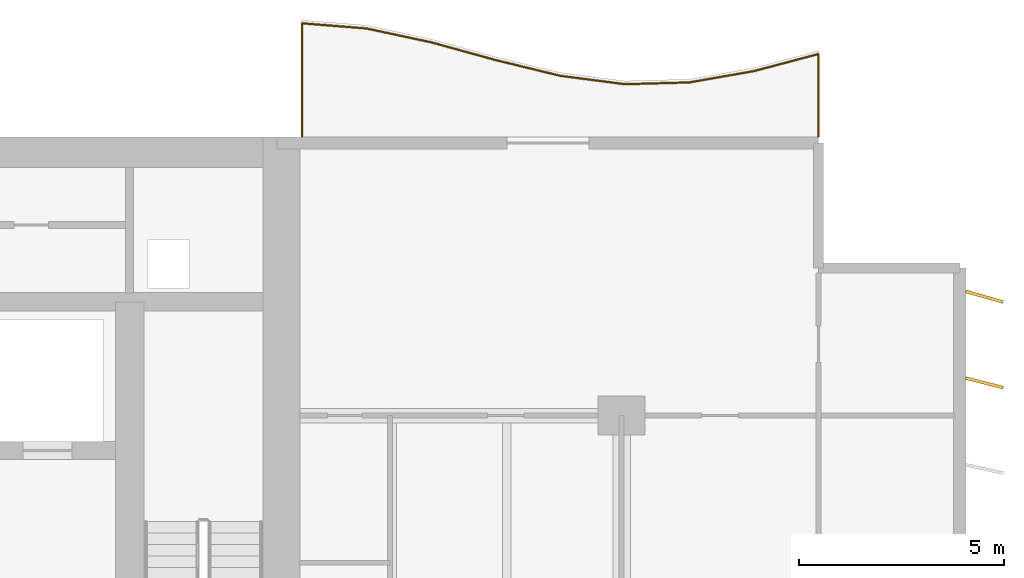
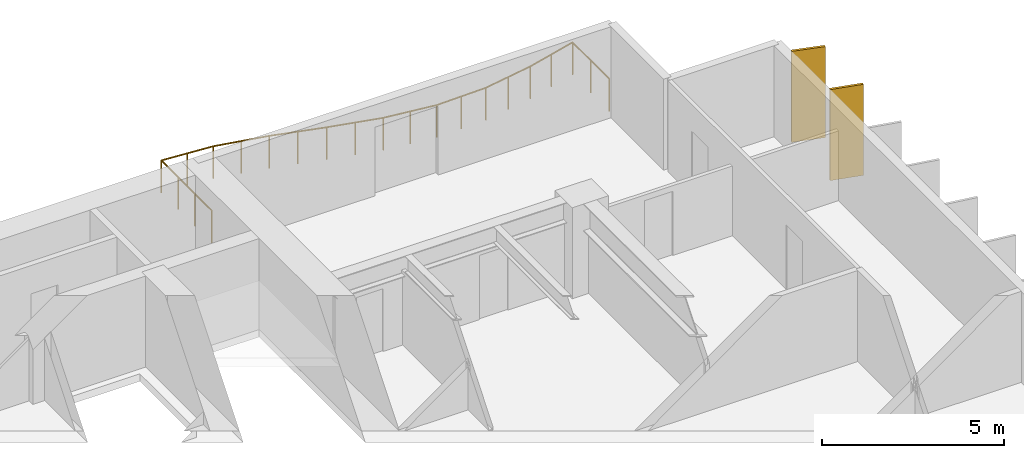
# One storey, part 17 of 17: 2 shading devices, 1 railing.
"""IFC4 building model written with IfcOpenShell, lengths in metres."""

import ifcopenshell
import ifcopenshell.guid

model = None  # the IFC model being written
_history = None  # IfcOwnerHistory: only IFC2X3 demands one
_inside = {}  # id of a spatial element -> (the spatial element, [elements in it])
_under = {}  # id of a project, library or spatial element -> (it, [spatial elements below it])
_declared = {}  # id of a project -> (the project, [libraries it declares])
_typed = {}  # id of a type object -> (the type object, [elements of that type])
_made_of = {}  # id of a material, layer set ... -> (it, [elements and type objects made of it])


def new_model(schema):
    """Start an empty IFC model of exactly this schema.

    Asked for "IFC4X3", IfcOpenShell would pick the latest addendum, in which some entities
    have other attributes; the version numbers below select the first issue.
    IFC2X3 requires an IfcOwnerHistory on every rooted entity: one is made here for all.
    """
    global model, _history
    if schema == "IFC4X3":
        model = ifcopenshell.file(schema_version=(4, 3, 0, 0))
    else:
        model = ifcopenshell.file(schema=schema)
    _inside.clear()
    _under.clear()
    _declared.clear()
    _typed.clear()
    _made_of.clear()
    _history = None
    if model.schema == "IFC2X3":
        org = make("IfcOrganization", Name="unknown")
        user = make(
            "IfcPersonAndOrganization",
            ThePerson=make("IfcPerson", FamilyName="unknown"),
            TheOrganization=org,
        )
        app = make(
            "IfcApplication",
            ApplicationDeveloper=org,
            Version="unknown",
            ApplicationFullName="unknown",
            ApplicationIdentifier="unknown",
        )
        _history = make(
            "IfcOwnerHistory",
            OwningUser=user,
            OwningApplication=app,
            ChangeAction="ADDED",
            CreationDate=0,
        )
    return model


def make(cls, **values):
    """One entity of the class cls with the attributes given. An attribute that is None is left unset."""
    return model.create_entity(
        cls, **{name: value for name, value in values.items() if value is not None}
    )


def rooted(cls, **values):
    """An entity with a GlobalId (a new one), such as an element, a storey or a relation."""
    return make(cls, GlobalId=ifcopenshell.guid.new(), OwnerHistory=_history, **values)


def si_unit(unit_type, name, prefix=None):
    """IfcSIUnit, for example si_unit("LENGTHUNIT", "METRE", prefix="MILLI")."""
    return make("IfcSIUnit", UnitType=unit_type, Prefix=prefix, Name=name)


def assignment(units):
    """IfcUnitAssignment: the units of a project."""
    return None if units is None else make("IfcUnitAssignment", Units=units)


def point(xyz):
    """IfcCartesianPoint."""
    return None if xyz is None else make("IfcCartesianPoint", Coordinates=xyz)


def direction(xyz):
    """IfcDirection."""
    return None if xyz is None else make("IfcDirection", DirectionRatios=xyz)


def frame(location, z_axis=None, x_axis=None):
    """IfcAxis2Placement3D, a coordinate frame: its origin and axes. An axis left out is left unset."""
    return make(
        "IfcAxis2Placement3D",
        Location=point(location),
        Axis=direction(z_axis),
        RefDirection=direction(x_axis),
    )


def frame_2d(location, x_axis=None):
    """IfcAxis2Placement2D, a coordinate frame in the plane: its origin and x axis."""
    return make(
        "IfcAxis2Placement2D", Location=point(location), RefDirection=direction(x_axis)
    )


def origin():
    """The frame at (0, 0, 0) with its axes left unset."""
    return frame((0.0, 0.0, 0.0))


def origin_2d():
    """The frame at (0, 0) in the plane with its x axis left unset."""
    return frame_2d((0.0, 0.0))


def place(relative_to, where):
    """IfcLocalPlacement: puts the frame where relative to a parent placement (None: the world)."""
    return make(
        "IfcLocalPlacement", PlacementRelTo=relative_to, RelativePlacement=where
    )


def context(
    kind, dimensions, precision=None, world=None, true_north=None, identifier=None
):
    """IfcGeometricRepresentationContext, for example the 3D "Model" context."""
    return make(
        "IfcGeometricRepresentationContext",
        ContextIdentifier=identifier,
        ContextType=kind,
        CoordinateSpaceDimension=dimensions,
        Precision=precision,
        WorldCoordinateSystem=world,
        TrueNorth=true_north,
    )


def subcontext(parent, identifier, kind, view, scale=None):
    """IfcGeometricRepresentationSubContext, for example "Body" below "Model"."""
    return make(
        "IfcGeometricRepresentationSubContext",
        ContextIdentifier=identifier,
        ContextType=kind,
        ParentContext=parent,
        TargetScale=scale,
        TargetView=view,
    )


def project(units=None, contexts=None):
    """IfcProject with its units and contexts."""
    return rooted(
        "IfcProject",
        Name="project",
        RepresentationContexts=contexts,
        UnitsInContext=assignment(units),
    )


def spatial(cls, under=None, at=None, **own):
    """A site, building, storey or space (cls), placed at a placement, below another one or the project."""
    s = rooted(cls, ObjectPlacement=at, **own)
    if under is not None:
        _under.setdefault(under.id(), (under, []))[1].append(s)
    return s


def profile(cls, at=None, kind="AREA", **sizes):
    """A parametric profile (cls). Its sizes go by their IFC names, for example OverallWidth=200.0."""
    return make(cls, ProfileType=kind, Position=at, **sizes)


def rectangle(**sizes):
    """IfcRectangleProfileDef."""
    return profile("IfcRectangleProfileDef", **sizes)


def circle(**sizes):
    """IfcCircleProfileDef."""
    return profile("IfcCircleProfileDef", **sizes)


def extrude(swept, where, along, depth):
    """IfcExtrudedAreaSolid: the profile swept, set in the frame where, extruded along a direction by depth."""
    return make(
        "IfcExtrudedAreaSolid",
        SweptArea=swept,
        Position=where,
        ExtrudedDirection=direction(along),
        Depth=depth,
    )


def shape(context_of_items, identifier, shape_type, items):
    """IfcShapeRepresentation: the items that make up one representation, for example the "Body"."""
    return make(
        "IfcShapeRepresentation",
        ContextOfItems=context_of_items,
        RepresentationIdentifier=identifier,
        RepresentationType=shape_type,
        Items=items,
    )


def material(Name=None, Category=None):
    """IfcMaterial."""
    return make("IfcMaterial", Name=Name, Category=Category)


def material_profile(
    of_material, cross_section, Name=None, Category=None, Priority=None
):
    """IfcMaterialProfile: a cross section and its material."""
    return make(
        "IfcMaterialProfile",
        Name=Name,
        Material=of_material,
        Profile=cross_section,
        Priority=Priority,
        Category=Category,
    )


def profile_set(profiles, Name=None, composite=None):
    """IfcMaterialProfileSet."""
    return make(
        "IfcMaterialProfileSet",
        Name=Name,
        MaterialProfiles=profiles,
        CompositeProfile=composite,
    )


def made_of(thing, what):
    """Note that an element or type object is made of a material, layer set ...; save() writes the relation."""
    if what is not None:
        _made_of.setdefault(what.id(), (what, []))[1].append(thing)
    return thing


def type_object(cls, material=None, **own):
    """A type object (cls), such as IfcWallType, which elements share."""
    return made_of(rooted(cls, **own), material)


def element(
    cls,
    number,
    at=None,
    inside=None,
    cuts=None,
    type_object=None,
    material=None,
    context=None,
    identifier="Body",
    shape_type=None,
    held_by="IfcProductDefinitionShape",
    body=None,
    shapes=None,
    **own,
):
    """One element of the class cls, such as IfcWall. Its Tag is "e" and its number.

    at: its placement. inside: the storey or other place that contains it. cuts: it is an
    opening in that element (IfcRelVoidsElement). A single representation is given by context,
    identifier, shape_type and body (its items); several are given by shapes. held_by: the class
    of the entity that holds the representations. save() writes the other relations.
    """
    e = rooted(cls, Tag="e%d" % number, ObjectPlacement=at, **own)
    if body is not None:
        shapes = [shape(context, identifier, shape_type, body)]
    if shapes is not None:
        e.Representation = make(held_by, Representations=shapes)
    if inside is not None:
        _inside.setdefault(inside.id(), (inside, []))[1].append(e)
    if cuts is not None:
        rooted(
            "IfcRelVoidsElement", RelatingBuildingElement=cuts, RelatedOpeningElement=e
        )
    if type_object is not None:
        _typed.setdefault(type_object.id(), (type_object, []))[1].append(e)
    return made_of(e, material)


def aggregate(whole, parts):
    """IfcRelAggregates: a whole, such as a stair, and the parts it consists of."""
    return rooted("IfcRelAggregates", RelatingObject=whole, RelatedObjects=parts)


def save(model, path):
    """Write the relations noted so far, then the file.

    IfcRelAggregates (storeys below a building ...), IfcRelContainedInSpatialStructure (elements
    in a storey), IfcRelDefinesByType, IfcRelAssociatesMaterial and IfcRelDeclares: one each for
    every whole, place, type object, material and project.
    """
    for whole, parts in _under.values():
        aggregate(whole, parts)
    for where, things in _inside.values():
        rooted(
            "IfcRelContainedInSpatialStructure",
            RelatedElements=things,
            RelatingStructure=where,
        )
    for kind, things in _typed.values():
        rooted("IfcRelDefinesByType", RelatedObjects=things, RelatingType=kind)
    for what, things in _made_of.values():
        rooted("IfcRelAssociatesMaterial", RelatedObjects=things, RelatingMaterial=what)
    for by, libraries in _declared.values():
        rooted("IfcRelDeclares", RelatingContext=by, RelatedDefinitions=libraries)
    model.write(path)


model = new_model("IFC4")

# Units and contexts
model_context = context("Model", 3, precision=1e-05, world=origin(), true_north=direction((0.0, 1.0)))
body_context = subcontext(model_context, "Body", "Model", "MODEL_VIEW")
ifc_project = project(units=[si_unit("LENGTHUNIT", "METRE"), si_unit("AREAUNIT", "SQUARE_METRE"), si_unit("VOLUMEUNIT", "CUBIC_METRE"), si_unit("PLANEANGLEUNIT", "RADIAN"), si_unit("MASSUNIT", "GRAM", prefix="KILO")], contexts=[model_context])

# Site, building, storey
site_placement = place(None, origin())
site = spatial("IfcSite", under=ifc_project, at=site_placement, CompositionType="ELEMENT")
building_placement = place(site_placement, origin())
building = spatial("IfcBuilding", under=site, at=building_placement, Name="Caelmar Bay Residences", CompositionType="ELEMENT")
storey_placement = place(building_placement, frame((0.0, 0.0, 63.0)))
storey = spatial("IfcBuildingStorey", under=building, at=storey_placement, Name="L16", CompositionType="ELEMENT", Elevation=63.0)

# Railing
ifc_material_1 = material(Name="Anodised bronze handrail with laminated hurricane glass infill", Category="glass")
railing_type = type_object("IfcRailingType", Name="RL-BAL-1100", PredefinedType="BALUSTRADE", material=ifc_material_1)
railing_placement = place(storey_placement, frame((72.699951171875, 50.60009765625, 0.0)))
element("IfcRailing", 1, at=railing_placement, inside=storey, type_object=railing_type, Name="L16 north_east Balcony Balustrade", PredefinedType="BALUSTRADE", context=body_context, shape_type="SweptSolid", body=[
    extrude(circle(Radius=0.02392578125, at=origin_2d()), frame((0.0, 0.0, 1.076171875), z_axis=(0.0, 1.0, 0.0), x_axis=(-1.0, 0.0, 0.0)), (0.0, 0.0, 1.0), 2.02001953125),
    extrude(circle(Radius=0.02392578125, at=origin_2d()), frame((0.0, 2.02001953125, 1.076171875), z_axis=(-0.966728120508, -0.255806061341, 0.0), x_axis=(0.255806061341, -0.966728120508, 0.0)), (0.0, 0.0, 1.0), 1.629150390625),
    extrude(circle(Radius=0.02392578125, at=origin_2d()), frame((-1.574951171875, 1.603271484375, 1.076171875), z_axis=(-0.984950641335, -0.172835858935, 0.0), x_axis=(0.172835858935, -0.984950641335, 0.0)), (0.0, 0.0, 1.0), 1.59912109375),
    extrude(circle(Radius=0.02392578125, at=origin_2d()), frame((-3.14990234375, 1.326904296875, 1.076171875), z_axis=(-0.9996364388, -0.026962756216, 0.0), x_axis=(0.026962756216, -0.9996364388, 0.0)), (0.0, 0.0, 1.0), 1.575439453125),
    extrude(circle(Radius=0.02392578125, at=origin_2d()), frame((-4.724853515625, 1.284423828125, 1.076171875), z_axis=(-0.991631235968, 0.129102640765, 0.0), x_axis=(-0.129102640765, -0.991631235968, 0.0)), (0.0, 0.0, 1.0), 1.58837890625),
    extrude(circle(Radius=0.02392578125, at=origin_2d()), frame((-6.300048828125, 1.489501953125, 1.076171875), z_axis=(-0.971534712274, 0.236897241111, 0.0), x_axis=(-0.236897241111, -0.971534712274, 0.0)), (0.0, 0.0, 1.0), 1.62109375),
    extrude(circle(Radius=0.02392578125, at=origin_2d()), frame((-7.875, 1.87353515625, 1.076171875), z_axis=(-0.964168126778, 0.265291958616, 0.0), x_axis=(-0.265291958616, -0.964168126778, 0.0)), (0.0, 0.0, 1.0), 1.633544921875),
    extrude(circle(Radius=0.02392578125, at=origin_2d()), frame((-9.449951171875, 2.306884765625, 1.076171875), z_axis=(-0.977906557301, 0.209042496127, 0.0), x_axis=(-0.209042496127, -0.977906557301, 0.0)), (0.0, 0.0, 1.0), 1.610595703125),
    extrude(circle(Radius=0.02392578125, at=origin_2d()), frame((-11.02490234375, 2.6435546875, 1.076171875), z_axis=(-0.996791652008, 0.08004000554, 0.0), x_axis=(-0.08004000554, -0.996791652008, 0.0)), (0.0, 0.0, 1.0), 1.580078125),
    extrude(circle(Radius=0.02392578125, at=origin_2d()), frame((-12.599853515625, 2.77001953125, 1.076171875), z_axis=(0.0, -1.0, 0.0), x_axis=(1.0, 0.0, 0.0)), (0.0, 0.0, 1.0), 2.77001953125),
    extrude(circle(Radius=0.02099609375, at=origin_2d()), origin(), (0.0, 0.0, 1.0), 1.052001953125),
    extrude(circle(Radius=0.02099609375, at=origin_2d()), frame((0.0, 1.010009765625, 0.0)), (0.0, 0.0, 1.0), 1.052001953125),
    extrude(circle(Radius=0.02099609375, at=origin_2d()), frame((0.0, 2.02001953125, 0.0)), (0.0, 0.0, 1.0), 1.052001953125),
    extrude(circle(Radius=0.02099609375, at=origin_2d()), frame((-0.78759765625, 1.8115234375, 0.0)), (0.0, 0.0, 1.0), 1.052001953125),
    extrude(circle(Radius=0.02099609375, at=origin_2d()), frame((-1.574951171875, 1.603271484375, 0.0)), (0.0, 0.0, 1.0), 1.052001953125),
    extrude(circle(Radius=0.02099609375, at=origin_2d()), frame((-2.3623046875, 1.465087890625, 0.0)), (0.0, 0.0, 1.0), 1.052001953125),
    extrude(circle(Radius=0.02099609375, at=origin_2d()), frame((-3.14990234375, 1.326904296875, 0.0)), (0.0, 0.0, 1.0), 1.052001953125),
    extrude(circle(Radius=0.02099609375, at=origin_2d()), frame((-3.9375, 1.3056640625, 0.0)), (0.0, 0.0, 1.0), 1.052001953125),
    extrude(circle(Radius=0.02099609375, at=origin_2d()), frame((-4.724853515625, 1.284423828125, 0.0)), (0.0, 0.0, 1.0), 1.052001953125),
    extrude(circle(Radius=0.02099609375, at=origin_2d()), frame((-5.512451171875, 1.386962890625, 0.0)), (0.0, 0.0, 1.0), 1.052001953125),
    extrude(circle(Radius=0.02099609375, at=origin_2d()), frame((-6.300048828125, 1.489501953125, 0.0)), (0.0, 0.0, 1.0), 1.052001953125),
    extrude(circle(Radius=0.02099609375, at=origin_2d()), frame((-7.08740234375, 1.681640625, 0.0)), (0.0, 0.0, 1.0), 1.052001953125),
    extrude(circle(Radius=0.02099609375, at=origin_2d()), frame((-7.875, 1.87353515625, 0.0)), (0.0, 0.0, 1.0), 1.052001953125),
    extrude(circle(Radius=0.02099609375, at=origin_2d()), frame((-8.66259765625, 2.09033203125, 0.0)), (0.0, 0.0, 1.0), 1.052001953125),
    extrude(circle(Radius=0.02099609375, at=origin_2d()), frame((-9.449951171875, 2.306884765625, 0.0)), (0.0, 0.0, 1.0), 1.052001953125),
    extrude(circle(Radius=0.02099609375, at=origin_2d()), frame((-10.2373046875, 2.47509765625, 0.0)), (0.0, 0.0, 1.0), 1.052001953125),
    extrude(circle(Radius=0.02099609375, at=origin_2d()), frame((-11.02490234375, 2.6435546875, 0.0)), (0.0, 0.0, 1.0), 1.052001953125),
    extrude(circle(Radius=0.02099609375, at=origin_2d()), frame((-11.8125, 2.706787109375, 0.0)), (0.0, 0.0, 1.0), 1.052001953125),
    extrude(circle(Radius=0.02099609375, at=origin_2d()), frame((-12.599853515625, 2.77001953125, 0.0)), (0.0, 0.0, 1.0), 1.052001953125),
    extrude(circle(Radius=0.02099609375, at=origin_2d()), frame((-12.599853515625, 1.8466796875, 0.0)), (0.0, 0.0, 1.0), 1.052001953125),
    extrude(circle(Radius=0.02099609375, at=origin_2d()), frame((-12.599853515625, 0.92333984375, 0.0)), (0.0, 0.0, 1.0), 1.052001953125),
    extrude(circle(Radius=0.02099609375, at=origin_2d()), frame((-12.599853515625, 0.0, 0.0)), (0.0, 0.0, 1.0), 1.052001953125),
])

# Shading devices
ifc_material_2 = material(Name="Anodised architectural bronze aluminium 6063-T6", Category="aluminium")
ifc_material_profile = material_profile(ifc_material_2, rectangle(XDim=0.074951171875, YDim=0.949951171875, at=origin_2d()), Name="BRONZE-FIN-75X950")
ifc_profile_set = profile_set([ifc_material_profile], Name="Anodised architectural bronze aluminium 6063-T6")
shading_device_type = type_object("IfcShadingDeviceType", Name="SHD-FIN-950", PredefinedType="USERDEFINED", material=ifc_profile_set)
for number, where, z_axis, x_axis, name in (
    (2, (76.75, 44.60009765625, 0.0), (0.0, 0.0, 1.0), (0.247337247968, 0.968929453452, 0.0), "L16 East Bronze Solar Fin 19"),
    (3, (76.75, 46.699951171875, 0.0), (0.0, 0.0, 1.0), (0.275637355817, 0.961261695938, 0.0), "L16 East Bronze Solar Fin 20"),
):
    element("IfcShadingDevice", number, at=place(storey_placement, frame(where, z_axis=z_axis, x_axis=x_axis)), inside=storey, type_object=shading_device_type, Name=name, ObjectType="FIN", PredefinedType="USERDEFINED", context=body_context, shape_type="SweptSolid", body=[
        extrude(rectangle(XDim=0.074951171875, YDim=0.949951171875, at=origin_2d()), origin(), (0.0, 0.0, 1.0), 3.050048828125),
    ])

save(model, "model.ifc")
